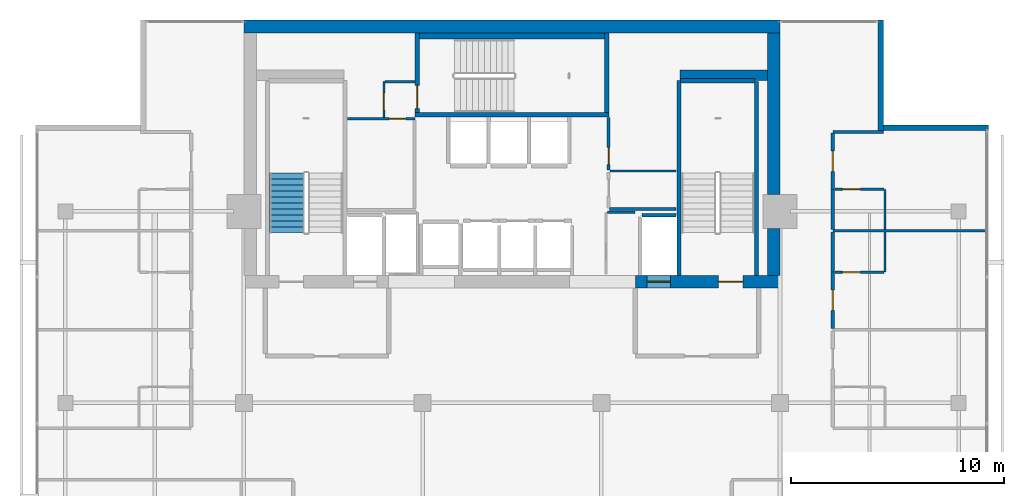
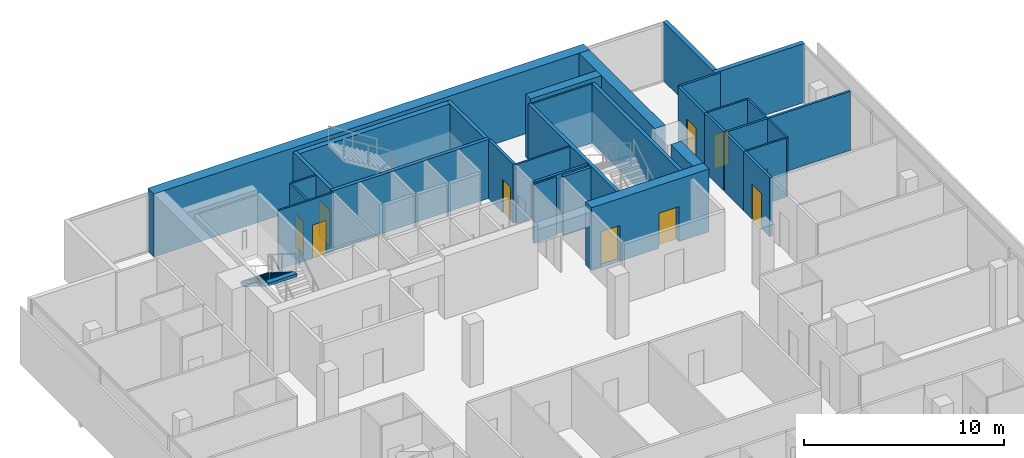
# One storey, part 23 of 26: 32 walls, 10 doors, 1 stair flight, 10 openings, 1 element without a shape of its own.
"""IFC4 building model written with IfcOpenShell, lengths in metres."""

from ifc_helpers import new_model, si_unit, direction, frame, frame_2d, origin, place, context, subcontext, project, spatial, polyline, rectangle, outline, extrude, material, layer, layer_set, type_object, element, fill, aggregate, save


model = new_model("IFC4")

# Units and contexts
model_context = context("Model", 3, precision=1e-05, world=origin(), true_north=direction((0.0, 1.0)))
body_context = subcontext(model_context, "Body", "Model", "MODEL_VIEW")
ifc_project = project(units=[si_unit("LENGTHUNIT", "METRE"), si_unit("AREAUNIT", "SQUARE_METRE"), si_unit("VOLUMEUNIT", "CUBIC_METRE"), si_unit("PLANEANGLEUNIT", "RADIAN"), si_unit("MASSUNIT", "GRAM", prefix="KILO")], contexts=[model_context])

# Site, building, storey
site_placement = place(None, origin())
site = spatial("IfcSite", under=ifc_project, at=site_placement, CompositionType="ELEMENT")
building_placement = place(site_placement, origin())
building = spatial("IfcBuilding", under=site, at=building_placement, Name="Maruvema Waterfront Hotel and Observation Tower", CompositionType="ELEMENT")
storey_placement = place(building_placement, frame((0.0, 0.0, 285.60009765625)))
storey = spatial("IfcBuildingStorey", under=building, at=storey_placement, Name="L70", CompositionType="ELEMENT", Elevation=285.60009765625)

# Wall, opening, door
ifc_material_1 = material(Name="Twin-stud acoustic gypsum drywall", Category="gypsum")
ifc_layer_1 = layer(ifc_material_1, 0.14990234375, Name="Acoustic Corridor and Suite Demising Wall 150 mm")
ifc_layer_set_1 = layer_set([ifc_layer_1], Name="Twin-stud acoustic gypsum drywall")
wall_type_1 = type_object("IfcWallType", Name="Acoustic Corridor and Suite Demising Wall 150 mm", PredefinedType="PARTITIONING", material=ifc_layer_set_1)
wall_1_placement = place(storey_placement, frame((42.340087890625, 46.9599609375, 0.0), z_axis=(0.0, 0.0, 1.0), x_axis=(0.0, 1.0, 0.0)))
wall_1 = element("IfcWall", 1, at=wall_1_placement, inside=storey, type_object=wall_type_1, Name="L70 Freed B2 West N 018", PredefinedType="PARTITIONING", context=body_context, shape_type="SweptSolid", body=[
    extrude(rectangle(XDim=2.4599609375, YDim=0.14990234375, at=frame_2d((1.22998046875, 0.0))), origin(), (0.0, 0.0, 1.0), 3.60986328125),
])
opening_1_placement = place(wall_1_placement, frame((0.239990234375, 0.0, 0.0)))
opening_1 = element("IfcOpeningElement", 2, at=opening_1_placement, cuts=wall_1, Name="Opening DR-080", PredefinedType="OPENING", context=body_context, shape_type="SweptSolid", body=[
    extrude(rectangle(XDim=0.800048828125, YDim=2.050048828125, at=frame_2d((0.39990234375, 1.02490234375))), frame((0.0, 0.0849609375, 0.0), z_axis=(0.0, -1.0, 0.0), x_axis=(1.0, 0.0, 0.0)), (0.0, 0.0, 1.0), 0.169921875),
])
ifc_material_2 = material(Name="Powder-coated steel access leaf", Category="steel")
door_type_1 = type_object("IfcDoorType", Name="Riser and Service Cupboard Door 800x2050 mm", OperationType="NOTDEFINED", PredefinedType="DOOR", material=ifc_material_2)
door_1_placement = place(opening_1_placement, frame((0.800048828125, 0.0, 0.0), z_axis=(0.0, 0.0, 1.0), x_axis=(-1.0, 0.0, 0.0)))
door_1 = element("IfcDoor", 3, at=door_1_placement, inside=storey, type_object=door_type_1, Name="L70 Core IT and Linen Store Door", OperationType="SINGLE_SWING_LEFT", OverallHeight=2.050048828125, OverallWidth=0.800048828125, PredefinedType="DOOR", context=body_context, shape_type="SweptSolid", body=[
    extrude(rectangle(XDim=0.800048828125, YDim=2.050048828125, at=frame_2d((0.39990234375, 1.02490234375))), frame((0.0, 0.02490234375, 0.0), z_axis=(0.0, -1.0, 0.0), x_axis=(1.0, 0.0, 0.0)), (0.0, 0.0, 1.0), 0.050048828125),
])
fill(opening_1, door_1)

# Wall
wall_2_placement = place(storey_placement, frame((42.3798828125, 45.1201171875, 0.0), z_axis=(0.0, 0.0, 1.0), x_axis=(1.0, 0.0, 0.0)))
element("IfcWall", 4, at=wall_2_placement, inside=storey, type_object=wall_type_1, Name="L70 Freed B2 South Wall 020", PredefinedType="PARTITIONING", context=body_context, shape_type="SweptSolid", body=[
    extrude(rectangle(XDim=3.14013671875, YDim=0.14990234375, at=frame_2d((1.570068359375, 0.0))), origin(), (0.0, 0.0, 1.0), 3.60986328125),
])

# Wall, opening, door
wall_3_placement = place(storey_placement, frame((52.8798828125, 39.505859375, 0.0), z_axis=(0.0, 0.0, 1.0), x_axis=(0.0, 1.0, 0.0)))
wall_3 = element("IfcWall", 5, at=wall_3_placement, inside=storey, type_object=wall_type_1, Name="L70 Room L70-NE2 Corridor Wall 101", PredefinedType="PARTITIONING", context=body_context, shape_type="SweptSolid", body=[
    extrude(rectangle(XDim=2.6357421875, YDim=0.14990234375, at=frame_2d((1.31787109375, 0.0))), origin(), (0.0, 0.0, 1.0), 3.60986328125),
])
opening_2_placement = place(wall_3_placement, frame((0.843017578125, 0.0, 0.0)))
opening_2 = element("IfcOpeningElement", 6, at=opening_2_placement, cuts=wall_3, Name="Opening DR-095", PredefinedType="OPENING", context=body_context, shape_type="SweptSolid", body=[
    extrude(rectangle(XDim=0.949951171875, YDim=2.14990234375, at=frame_2d((0.47509765625, 1.074951171875))), frame((0.0, 0.0849609375, 0.0), z_axis=(0.0, -1.0, 0.0), x_axis=(1.0, 0.0, 0.0)), (0.0, 0.0, 1.0), 0.169921875),
])
ifc_material_3 = material(Name="Acoustic solid-core hardwood timber leaf", Category="wood")
door_type_2 = type_object("IfcDoorType", Name="Guestroom Entrance Fire Door 950x2150 mm", OperationType="NOTDEFINED", PredefinedType="DOOR", material=ifc_material_3)
door_2_placement = place(opening_2_placement, frame((0.949951171875, 0.0, 0.0), z_axis=(0.0, 0.0, 1.0), x_axis=(-1.0, 0.0, 0.0)))
door_2 = element("IfcDoor", 7, at=door_2_placement, inside=storey, type_object=door_type_2, Name="L70 Room L70-NE2 Entrance Door", OperationType="SINGLE_SWING_LEFT", OverallHeight=2.14990234375, OverallWidth=0.949951171875, PredefinedType="DOOR", context=body_context, shape_type="SweptSolid", body=[
    extrude(rectangle(XDim=0.949951171875, YDim=2.14990234375, at=frame_2d((0.47509765625, 1.074951171875))), frame((0.0, 0.02490234375, 0.0), z_axis=(0.0, -1.0, 0.0), x_axis=(1.0, 0.0, 0.0)), (0.0, 0.0, 1.0), 0.050048828125),
])
fill(opening_2, door_2)

# Walls
for number, where, z_axis, x_axis, name in (
    (8, (52.8798828125, 42.1416015625, 0.0), (0.0, 0.0, 1.0), (0.0, 1.0, 0.0), "L70 Bath L70-NE2 Wall 102"),
    (9, (52.8798828125, 44.151611328125, 0.0), (0.0, 0.0, 1.0), (0.0, 1.0, 0.0), "L70 Bath L70-NE3 Wall 111"),
):
    element("IfcWall", number, at=place(storey_placement, frame(where, z_axis=z_axis, x_axis=x_axis)), inside=storey, type_object=wall_type_1, Name=name, PredefinedType="PARTITIONING", context=body_context, shape_type="SweptSolid", body=[
        extrude(rectangle(XDim=1.89013671875, YDim=0.14990234375, at=frame_2d((0.945068359375, 0.0))), origin(), (0.0, 0.0, 1.0), 3.60986328125),
    ])

# Wall, opening, door
wall_4_placement = place(storey_placement, frame((52.8798828125, 46.041748046875, 0.0), z_axis=(0.0, 0.0, 1.0), x_axis=(0.0, 1.0, 0.0)))
wall_4 = element("IfcWall", 10, at=wall_4_placement, inside=storey, type_object=wall_type_1, Name="L70 Room L70-NE3 Corridor Wall 112", PredefinedType="PARTITIONING", context=body_context, shape_type="SweptSolid", body=[
    extrude(rectangle(XDim=2.6357421875, YDim=0.14990234375, at=frame_2d((1.31787109375, 0.0))), origin(), (0.0, 0.0, 1.0), 3.60986328125),
])
opening_3_placement = place(wall_4_placement, frame((0.843017578125, 0.0, 0.0)))
opening_3 = element("IfcOpeningElement", 11, at=opening_3_placement, cuts=wall_4, Name="Opening DR-095", PredefinedType="OPENING", context=body_context, shape_type="SweptSolid", body=[
    extrude(rectangle(XDim=0.949951171875, YDim=2.14990234375, at=frame_2d((0.47509765625, 1.074951171875))), frame((0.0, 0.0849609375, 0.0), z_axis=(0.0, -1.0, 0.0), x_axis=(1.0, 0.0, 0.0)), (0.0, 0.0, 1.0), 0.169921875),
])
door_3_placement = place(opening_3_placement, frame((0.949951171875, 0.0, 0.0), z_axis=(0.0, 0.0, 1.0), x_axis=(-1.0, 0.0, 0.0)))
door_3 = element("IfcDoor", 12, at=door_3_placement, inside=storey, type_object=door_type_2, Name="L70 Room L70-NE3 Entrance Door", OperationType="SINGLE_SWING_LEFT", OverallHeight=2.14990234375, OverallWidth=0.949951171875, PredefinedType="DOOR", context=body_context, shape_type="SweptSolid", body=[
    extrude(rectangle(XDim=0.949951171875, YDim=2.14990234375, at=frame_2d((0.47509765625, 1.074951171875))), frame((0.0, 0.02490234375, 0.0), z_axis=(0.0, -1.0, 0.0), x_axis=(1.0, 0.0, 0.0)), (0.0, 0.0, 1.0), 0.050048828125),
])
fill(opening_3, door_3)

# Walls
ifc_material_4 = material(Name="Precast concrete C45/55", Category="concrete")
ifc_layer_2 = layer(ifc_material_4, 0.300048828125, Name="Core Shaft Furring Wall 300 mm")
ifc_layer_set_2 = layer_set([ifc_layer_2], Name="Precast concrete C45/55")
wall_type_2 = type_object("IfcWallType", Name="Core Shaft Furring Wall 300 mm", PredefinedType="SOLIDWALL", material=ifc_layer_set_2)
wall_5_placement = place(storey_placement, frame((33.449951171875, 53.25, 0.0), z_axis=(0.0, 0.0, 1.0), x_axis=(1.0, 0.0, 0.0)))
element("IfcWall", 13, at=wall_5_placement, inside=storey, type_object=wall_type_2, Name="L70 Stairwell ST-02 North Furring Wall", PredefinedType="SOLIDWALL", context=body_context, shape_type="SweptSolid", body=[
    extrude(rectangle(XDim=8.699951171875, YDim=0.300048828125, at=frame_2d((4.35009765625, 0.0))), origin(), (0.0, 0.0, 1.0), 3.60986328125),
])
ifc_material_5 = material(Name="Precast concrete C45/55", Category="concrete")
ifc_layer_3 = layer(ifc_material_5, 0.199951171875, Name="Core Shaft and Stairwell Enclosure Wall 200 mm")
ifc_layer_set_3 = layer_set([ifc_layer_3], Name="Precast concrete C45/55")
wall_type_3 = type_object("IfcWallType", Name="Core Shaft and Stairwell Enclosure Wall 200 mm", PredefinedType="SOLIDWALL", material=ifc_layer_set_3)
wall_6_placement = place(storey_placement, frame((33.25, 49.550048828125, 0.0), z_axis=(0.0, 0.0, 1.0), x_axis=(1.0, 0.0, 0.0)))
element("IfcWall", 14, at=wall_6_placement, inside=storey, type_object=wall_type_3, Name="L70 Stairwell ST-02 Shaft Wall", PredefinedType="SOLIDWALL", context=body_context, shape_type="SweptSolid", body=[
    extrude(rectangle(XDim=9.10009765625, YDim=0.199951171875, at=frame_2d((4.550048828125, 0.0))), origin(), (0.0, 0.0, 1.0), 3.60986328125),
])
wall_7_placement = place(storey_placement, frame((42.25, 49.64990234375, 0.0), z_axis=(0.0, 0.0, 1.0), x_axis=(0.0, 1.0, 0.0)))
element("IfcWall", 15, at=wall_7_placement, inside=storey, type_object=wall_type_3, Name="L70 Stairwell ST-02 Shaft Wall", PredefinedType="SOLIDWALL", context=body_context, shape_type="SweptSolid", body=[
    extrude(rectangle(XDim=3.75, YDim=0.199951171875, at=frame_2d((1.875, 0.0))), origin(), (0.0, 0.0, 1.0), 3.60986328125),
])

# Wall, opening, door
wall_8_placement = place(storey_placement, frame((33.35009765625, 49.64990234375, 0.0), z_axis=(0.0, 0.0, 1.0), x_axis=(0.0, 1.0, 0.0)))
wall_8 = element("IfcWall", 16, at=wall_8_placement, inside=storey, type_object=wall_type_3, Name="L70 Stairwell ST-02 Shaft Wall", PredefinedType="SOLIDWALL", context=body_context, shape_type="SweptSolid", body=[
    extrude(rectangle(XDim=3.75, YDim=0.199951171875, at=frame_2d((1.875, 0.0))), origin(), (0.0, 0.0, 1.0), 3.60986328125),
])
opening_4_placement = place(wall_8_placement, frame((0.179931640625, 0.0, 0.0)))
opening_4 = element("IfcOpeningElement", 17, at=opening_4_placement, cuts=wall_8, Name="Opening SD-02", PredefinedType="OPENING", context=body_context, shape_type="SweptSolid", body=[
    extrude(rectangle(XDim=1.10009765625, YDim=2.14990234375, at=frame_2d((0.550048828125, 1.074951171875))), frame((0.0, 0.10986328125, 0.0), z_axis=(0.0, -1.0, 0.0), x_axis=(1.0, 0.0, 0.0)), (0.0, 0.0, 1.0), 0.219970703125),
])
ifc_material_6 = material(Name="Fire-rated galvanised steel leaf", Category="steel")
door_type_3 = type_object("IfcDoorType", Name="Central Exit Stair Fire Door 1100x2150 mm", OperationType="NOTDEFINED", PredefinedType="DOOR", material=ifc_material_6)
door_4_placement = place(opening_4_placement, frame((1.10009765625, 0.0, 0.0), z_axis=(0.0, 0.0, 1.0), x_axis=(-1.0, 0.0, 0.0)))
door_4 = element("IfcDoor", 18, at=door_4_placement, inside=storey, type_object=door_type_3, Name="L70 Exit Stair ST-02 Fire Door", OperationType="SINGLE_SWING_LEFT", OverallHeight=2.14990234375, OverallWidth=1.10009765625, PredefinedType="DOOR", context=body_context, shape_type="SweptSolid", body=[
    extrude(rectangle(XDim=1.10009765625, YDim=2.14990234375, at=frame_2d((0.550048828125, 1.074951171875))), frame((0.0, 0.02490234375, 0.0), z_axis=(0.0, -1.0, 0.0), x_axis=(1.0, 0.0, 0.0)), (0.0, 0.0, 1.0), 0.050048828125),
])
fill(opening_4, door_4)

# Walls
wall_9_placement = place(storey_placement, frame((45.64990234375, 42.0, 0.0), z_axis=(0.0, 0.0, 1.0), x_axis=(0.0, 1.0, 0.0)))
element("IfcWall", 19, at=wall_9_placement, inside=storey, type_object=wall_type_3, Name="L70 Stairwell ST-03 West Shaft Wall", PredefinedType="SOLIDWALL", context=body_context, shape_type="SweptSolid", body=[
    extrude(rectangle(XDim=9.14990234375, YDim=0.199951171875, at=frame_2d((4.574951171875, 0.0))), origin(), (0.0, 0.0, 1.0), 3.60986328125),
])
wall_10_placement = place(storey_placement, frame((49.300048828125, 42.0, 0.0), z_axis=(0.0, 0.0, 1.0), x_axis=(0.0, 1.0, 0.0)))
element("IfcWall", 20, at=wall_10_placement, inside=storey, type_object=wall_type_3, Name="L70 Stairwell ST-03 Shaft Lining Wall", PredefinedType="SOLIDWALL", context=body_context, shape_type="SweptSolid", body=[
    extrude(rectangle(XDim=9.1201171875, YDim=0.199951171875, at=frame_2d((4.56005859375, 0.0))), origin(), (0.0, 0.0, 1.0), 3.60986328125),
])
wall_11_placement = place(storey_placement, frame((45.719970703125, 51.14990234375, 0.0), z_axis=(0.0, 0.0, 1.0), x_axis=(1.0, 0.0, 0.0)))
element("IfcWall", 21, at=wall_11_placement, inside=storey, type_object=wall_type_3, Name="L70 Stairwell ST-03 Shaft Lining Wall", PredefinedType="SOLIDWALL", context=body_context, shape_type="SweptSolid", body=[
    extrude(rectangle(XDim=3.5, YDim=0.199951171875, at=frame_2d((1.75, 0.0))), origin(), (0.0, 0.0, 1.0), 3.60986328125),
])
ifc_material_7 = material(Name="Concrete C70/85", Category="concrete")
ifc_layer_4 = layer(ifc_material_7, 0.5, Name="Core Shear Wall 500 mm")
ifc_layer_set_4 = layer_set([ifc_layer_4], Name="Concrete C70/85")
wall_type_4 = type_object("IfcWallType", Name="Core Shear Wall 500 mm", PredefinedType="SHEAR", material=ifc_layer_set_4)
wall_12_placement = place(storey_placement, frame((45.699951171875, 51.39990234375, 0.0), z_axis=(0.0, 0.0, 1.0), x_axis=(1.0, 0.0, 0.0)))
element("IfcWall", 22, at=wall_12_placement, inside=storey, type_object=wall_type_4, Name="L70 Internal Core Shear Wall NE 500 mm", PredefinedType="SHEAR", context=body_context, shape_type="SweptSolid", body=[
    extrude(rectangle(XDim=4.10009765625, YDim=0.5, at=frame_2d((2.050048828125, 0.0))), origin(), (0.0, 0.0, 1.0), 3.849853515625),
])
ifc_material_8 = material(Name="Concrete C60/75", Category="concrete")
ifc_layer_5 = layer(ifc_material_8, 0.60009765625, Name="Core Shear Wall 600 mm")
ifc_layer_set_5 = layer_set([ifc_layer_5], Name="Concrete C60/75")
wall_type_5 = type_object("IfcWallType", Name="Core Shear Wall 600 mm", PredefinedType="SHEAR", material=ifc_layer_set_5)
wall_13_placement = place(storey_placement, frame((25.199951171875, 53.699951171875, 0.0), z_axis=(0.0, 0.0, 1.0), x_axis=(1.0, 0.0, 0.0)))
element("IfcWall", 23, at=wall_13_placement, inside=storey, type_object=wall_type_5, Name="L70 North Core Shear Wall", PredefinedType="SHEAR", context=body_context, shape_type="SweptSolid", body=[
    extrude(rectangle(XDim=25.199951171875, YDim=0.60009765625, at=frame_2d((12.60009765625, 0.0))), origin(), (0.0, 0.0, 1.0), 3.849853515625),
])

# Wall, openings, doors
wall_14_placement = place(storey_placement, frame((43.60009765625, 41.699951171875, 0.0), z_axis=(0.0, 0.0, 1.0), x_axis=(1.0, 0.0, 0.0)))
wall_14 = element("IfcWall", 24, at=wall_14_placement, inside=storey, type_object=wall_type_5, Name="L70 South-East Core Shear Wall", PredefinedType="SHEAR", context=body_context, shape_type="SweptSolid", body=[
    extrude(rectangle(XDim=6.7998046875, YDim=0.60009765625, at=frame_2d((3.39990234375, 0.0))), origin(), (0.0, 0.0, 1.0), 3.849853515625),
])
opening_5_placement = place(wall_14_placement, frame((3.89990234375, 0.0, 0.0)))
opening_5 = element("IfcOpeningElement", 25, at=opening_5_placement, cuts=wall_14, Name="Opening SD-01", PredefinedType="OPENING", context=body_context, shape_type="SweptSolid", body=[
    extrude(rectangle(XDim=1.14990234375, YDim=2.14990234375, at=frame_2d((0.574951171875, 1.074951171875))), frame((0.0, 0.31005859375, 0.0), z_axis=(0.0, -1.0, 0.0), x_axis=(1.0, 0.0, 0.0)), (0.0, 0.0, 1.0), 0.6201171875),
])
opening_6_placement = place(wall_14_placement, frame((0.550048828125, 0.0, 0.0)))
opening_6 = element("IfcOpeningElement", 26, at=opening_6_placement, cuts=wall_14, Name="Opening LD-03", PredefinedType="OPENING", context=body_context, shape_type="SweptSolid", body=[
    extrude(rectangle(XDim=1.10009765625, YDim=2.199951171875, at=frame_2d((0.550048828125, 1.10009765625))), frame((0.0, 0.31005859375, 0.0), z_axis=(0.0, -1.0, 0.0), x_axis=(1.0, 0.0, 0.0)), (0.0, 0.0, 1.0), 0.6201171875),
])
ifc_material_9 = material(Name="Fire-rated galvanised steel leaf", Category="steel")
door_type_4 = type_object("IfcDoorType", Name="Exit Stair Fire Door 1150x2150 mm", OperationType="NOTDEFINED", PredefinedType="DOOR", material=ifc_material_9)
door_5_placement = place(opening_5_placement, origin())
door_5 = element("IfcDoor", 27, at=door_5_placement, inside=storey, type_object=door_type_4, Name="L70 Exit Stair ST-03 Fire Door", OperationType="SINGLE_SWING_RIGHT", OverallHeight=2.14990234375, OverallWidth=1.14990234375, PredefinedType="DOOR", context=body_context, shape_type="SweptSolid", body=[
    extrude(rectangle(XDim=1.14990234375, YDim=2.14990234375, at=frame_2d((0.574951171875, 1.074951171875))), frame((0.0, 0.02490234375, 0.0), z_axis=(0.0, -1.0, 0.0), x_axis=(1.0, 0.0, 0.0)), (0.0, 0.0, 1.0), 0.050048828125),
])
fill(opening_5, door_5)
ifc_material_10 = material(Name="Brushed stainless steel Grade 316", Category="steel")
door_type_5 = type_object("IfcDoorType", Name="Firefighting Lift Sliding Landing Door 1100x2200 mm", OperationType="SLIDING_TO_LEFT", PredefinedType="DOOR", material=ifc_material_10)
door_6_placement = place(opening_6_placement, frame((1.10009765625, 0.0, 0.0), z_axis=(0.0, 0.0, 1.0), x_axis=(-1.0, 0.0, 0.0)))
door_6 = element("IfcDoor", 28, at=door_6_placement, inside=storey, type_object=door_type_5, Name="L70 Firefighting Lift FL-02 Landing Door", OperationType="SLIDING_TO_LEFT", OverallHeight=2.199951171875, OverallWidth=1.10009765625, PredefinedType="DOOR", context=body_context, shape_type="SweptSolid", body=[
    extrude(rectangle(XDim=1.10009765625, YDim=2.199951171875, at=frame_2d((0.550048828125, 1.10009765625))), frame((0.0, 0.02490234375, 0.0), z_axis=(0.0, -1.0, 0.0), x_axis=(1.0, 0.0, 0.0)), (0.0, 0.0, 1.0), 0.050048828125),
])
fill(opening_6, door_6)

# Walls
wall_15_placement = place(storey_placement, frame((50.10009765625, 42.0, 0.0), z_axis=(0.0, 0.0, 1.0), x_axis=(0.0, 1.0, 0.0)))
element("IfcWall", 29, at=wall_15_placement, inside=storey, type_object=wall_type_5, Name="L70 East-South Core Shear Wall", PredefinedType="SHEAR", context=body_context, shape_type="SweptSolid", body=[
    extrude(rectangle(XDim=2.199951171875, YDim=0.60009765625, at=frame_2d((1.10009765625, 0.0))), origin(), (0.0, 0.0, 1.0), 3.849853515625),
])
wall_16_placement = place(storey_placement, frame((50.10009765625, 45.800048828125, 0.0), z_axis=(0.0, 0.0, 1.0), x_axis=(0.0, 1.0, 0.0)))
element("IfcWall", 30, at=wall_16_placement, inside=storey, type_object=wall_type_5, Name="L70 East-North Core Shear Wall", PredefinedType="SHEAR", context=body_context, shape_type="SweptSolid", body=[
    extrude(rectangle(XDim=7.599853515625, YDim=0.60009765625, at=frame_2d((3.7998046875, 0.0))), origin(), (0.0, 0.0, 1.0), 3.849853515625),
])
ifc_material_11 = material(Name="Moisture-resistant cement-board drywall", Category="gypsum")
ifc_layer_6 = layer(ifc_material_11, 0.10009765625, Name="En-Suite Moisture-Resistant Partition 100 mm")
ifc_layer_set_6 = layer_set([ifc_layer_6], Name="Moisture-resistant cement-board drywall")
wall_type_6 = type_object("IfcWallType", Name="En-Suite Moisture-Resistant Partition 100 mm", PredefinedType="PARTITIONING", material=ifc_layer_set_6)
wall_17_placement = place(storey_placement, frame((42.280029296875, 44.9599609375, 0.0), z_axis=(0.0, 0.0, 1.0), x_axis=(1.0, 0.0, 0.0)))
element("IfcWall", 31, at=wall_17_placement, inside=storey, type_object=wall_type_6, Name="L70 Core Closet K1 North 011", PredefinedType="PARTITIONING", context=body_context, shape_type="SweptSolid", body=[
    extrude(rectangle(XDim=1.300048828125, YDim=0.10009765625, at=frame_2d((0.64990234375, 0.0))), origin(), (0.0, 0.0, 1.0), 3.60986328125),
])

# Wall, opening, door
wall_18_placement = place(storey_placement, frame((30.06005859375, 49.360107421875, 0.0), z_axis=(0.0, 0.0, 1.0), x_axis=(1.0, 0.0, 0.0)))
wall_18 = element("IfcWall", 32, at=wall_18_placement, inside=storey, type_object=wall_type_6, Name="L70 Freed B1 Mid Wall 014", PredefinedType="PARTITIONING", context=body_context, shape_type="SweptSolid", body=[
    extrude(rectangle(XDim=3.179931640625, YDim=0.10009765625, at=frame_2d((1.58984375, 0.0))), origin(), (0.0, 0.0, 1.0), 3.60986328125),
])
opening_7_placement = place(wall_18_placement, frame((1.949951171875, 0.0, 0.0)))
opening_7 = element("IfcOpeningElement", 33, at=opening_7_placement, cuts=wall_18, Name="Opening DR-080", PredefinedType="OPENING", context=body_context, shape_type="SweptSolid", body=[
    extrude(rectangle(XDim=0.800048828125, YDim=2.050048828125, at=frame_2d((0.39990234375, 1.02490234375))), frame((0.0, 0.06005859375, 0.0), z_axis=(0.0, -1.0, 0.0), x_axis=(1.0, 0.0, 0.0)), (0.0, 0.0, 1.0), 0.1201171875),
])
door_7_placement = place(opening_7_placement, origin())
door_7 = element("IfcDoor", 34, at=door_7_placement, inside=storey, type_object=door_type_1, Name="L70 Housekeeping and Linen Room Door", OperationType="SINGLE_SWING_RIGHT", OverallHeight=2.050048828125, OverallWidth=0.800048828125, PredefinedType="DOOR", context=body_context, shape_type="SweptSolid", body=[
    extrude(rectangle(XDim=0.800048828125, YDim=2.050048828125, at=frame_2d((0.39990234375, 1.02490234375))), frame((0.0, 0.02490234375, 0.0), z_axis=(0.0, -1.0, 0.0), x_axis=(1.0, 0.0, 0.0)), (0.0, 0.0, 1.0), 0.050048828125),
])
fill(opening_7, door_7)

wall_19_placement = place(storey_placement, frame((31.780029296875, 49.419921875, 0.0), z_axis=(0.0, 0.0, 1.0), x_axis=(0.0, 1.0, 0.0)))
wall_19 = element("IfcWall", 35, at=wall_19_placement, inside=storey, type_object=wall_type_6, Name="L70 Freed B1 NW East Wall 015", PredefinedType="PARTITIONING", context=body_context, shape_type="SweptSolid", body=[
    extrude(rectangle(XDim=1.68017578125, YDim=0.10009765625, at=frame_2d((0.840087890625, 0.0))), origin(), (0.0, 0.0, 1.0), 3.60986328125),
])
opening_8_placement = place(wall_19_placement, frame((0.35009765625, 0.0, 0.0)))
opening_8 = element("IfcOpeningElement", 36, at=opening_8_placement, cuts=wall_19, Name="Opening DR-080", PredefinedType="OPENING", context=body_context, shape_type="SweptSolid", body=[
    extrude(rectangle(XDim=0.800048828125, YDim=2.050048828125, at=frame_2d((0.39990234375, 1.02490234375))), frame((0.0, 0.06005859375, 0.0), z_axis=(0.0, -1.0, 0.0), x_axis=(1.0, 0.0, 0.0)), (0.0, 0.0, 1.0), 0.1201171875),
])
door_8_placement = place(opening_8_placement, origin())
door_8 = element("IfcDoor", 37, at=door_8_placement, inside=storey, type_object=door_type_1, Name="L70 Guest Floor Pantry Door", OperationType="SINGLE_SWING_LEFT", OverallHeight=2.050048828125, OverallWidth=0.800048828125, PredefinedType="DOOR", context=body_context, shape_type="SweptSolid", body=[
    extrude(rectangle(XDim=0.800048828125, YDim=2.050048828125, at=frame_2d((0.39990234375, 1.02490234375))), frame((0.0, 0.02490234375, 0.0), z_axis=(0.0, -1.0, 0.0), x_axis=(1.0, 0.0, 0.0)), (0.0, 0.0, 1.0), 0.050048828125),
])
fill(opening_8, door_8)

# Walls
wall_20_placement = place(storey_placement, frame((31.820068359375, 51.10009765625, 0.0), z_axis=(0.0, 0.0, 1.0), x_axis=(1.0, 0.0, 0.0)))
element("IfcWall", 38, at=wall_20_placement, inside=storey, type_object=wall_type_6, Name="L70 Freed B1 Vestibule North Wall 016", PredefinedType="PARTITIONING", context=body_context, shape_type="SweptSolid", body=[
    extrude(rectangle(XDim=1.419921875, YDim=0.10009765625, at=frame_2d((0.7099609375, 0.0))), origin(), (0.0, 0.0, 1.0), 3.60986328125),
])
wall_21_placement = place(storey_placement, frame((42.39990234375, 46.89990234375, 0.0), z_axis=(0.0, 0.0, 1.0), x_axis=(1.0, 0.0, 0.0)))
element("IfcWall", 39, at=wall_21_placement, inside=storey, type_object=wall_type_6, Name="L70 Freed B2 Split 019", PredefinedType="PARTITIONING", context=body_context, shape_type="SweptSolid", body=[
    extrude(rectangle(XDim=3.10009765625, YDim=0.10009765625, at=frame_2d((1.550048828125, 0.0))), origin(), (0.0, 0.0, 1.0), 3.60986328125),
])
wall_22_placement = place(storey_placement, frame((55.330078125, 42.1416015625, 0.0), z_axis=(0.0, 0.0, 1.0), x_axis=(0.0, 1.0, 0.0)))
element("IfcWall", 40, at=wall_22_placement, inside=storey, type_object=wall_type_6, Name="L70 En-Suite L70-NE2 E 103", PredefinedType="PARTITIONING", context=body_context, shape_type="SweptSolid", body=[
    extrude(rectangle(XDim=1.89013671875, YDim=0.10009765625, at=frame_2d((0.945068359375, 0.0))), origin(), (0.0, 0.0, 1.0), 3.60986328125),
])

# Wall, opening, door
wall_23_placement = place(storey_placement, frame((52.97998046875, 42.1416015625, 0.0), z_axis=(0.0, 0.0, 1.0), x_axis=(1.0, 0.0, 0.0)))
wall_23 = element("IfcWall", 41, at=wall_23_placement, inside=storey, type_object=wall_type_6, Name="L70 En-Suite L70-NE2 S 104", PredefinedType="PARTITIONING", context=body_context, shape_type="SweptSolid", body=[
    extrude(rectangle(XDim=2.300048828125, YDim=0.10009765625, at=frame_2d((1.14990234375, 0.0))), origin(), (0.0, 0.0, 1.0), 3.60986328125),
])
opening_9_placement = place(wall_23_placement, frame((0.35009765625, 0.0, 0.0)))
opening_9 = element("IfcOpeningElement", 42, at=opening_9_placement, cuts=wall_23, Name="Opening DR-085", PredefinedType="OPENING", context=body_context, shape_type="SweptSolid", body=[
    extrude(rectangle(XDim=0.85009765625, YDim=2.10009765625, at=frame_2d((0.425048828125, 1.050048828125))), frame((0.0, 0.06005859375, 0.0), z_axis=(0.0, -1.0, 0.0), x_axis=(1.0, 0.0, 0.0)), (0.0, 0.0, 1.0), 0.1201171875),
])
ifc_material_12 = material(Name="Moisture-resistant solid timber leaf", Category="wood")
door_type_6 = type_object("IfcDoorType", Name="En-Suite Bathroom Door 850x2100 mm", OperationType="NOTDEFINED", PredefinedType="DOOR", material=ifc_material_12)
door_9_placement = place(opening_9_placement, frame((0.85009765625, 0.0, 0.0), z_axis=(0.0, 0.0, 1.0), x_axis=(-1.0, 0.0, 0.0)))
door_9 = element("IfcDoor", 43, at=door_9_placement, inside=storey, type_object=door_type_6, Name="L70 En-Suite L70-NE2 Door", OperationType="SINGLE_SWING_RIGHT", OverallHeight=2.10009765625, OverallWidth=0.85009765625, PredefinedType="DOOR", context=body_context, shape_type="SweptSolid", body=[
    extrude(rectangle(XDim=0.85009765625, YDim=2.10009765625, at=frame_2d((0.425048828125, 1.050048828125))), frame((0.0, 0.02490234375, 0.0), z_axis=(0.0, -1.0, 0.0), x_axis=(1.0, 0.0, 0.0)), (0.0, 0.0, 1.0), 0.050048828125),
])
fill(opening_9, door_9)

# Wall
wall_24_placement = place(storey_placement, frame((55.330078125, 44.151611328125, 0.0), z_axis=(0.0, 0.0, 1.0), x_axis=(0.0, 1.0, 0.0)))
element("IfcWall", 44, at=wall_24_placement, inside=storey, type_object=wall_type_6, Name="L70 En-Suite L70-NE3 E 113", PredefinedType="PARTITIONING", context=body_context, shape_type="SweptSolid", body=[
    extrude(rectangle(XDim=1.89013671875, YDim=0.10009765625, at=frame_2d((0.945068359375, 0.0))), origin(), (0.0, 0.0, 1.0), 3.60986328125),
])

# Wall, opening, door
wall_25_placement = place(storey_placement, frame((52.97998046875, 46.041748046875, 0.0), z_axis=(0.0, 0.0, 1.0), x_axis=(1.0, 0.0, 0.0)))
wall_25 = element("IfcWall", 45, at=wall_25_placement, inside=storey, type_object=wall_type_6, Name="L70 En-Suite L70-NE3 N 114", PredefinedType="PARTITIONING", context=body_context, shape_type="SweptSolid", body=[
    extrude(rectangle(XDim=2.300048828125, YDim=0.10009765625, at=frame_2d((1.14990234375, 0.0))), origin(), (0.0, 0.0, 1.0), 3.60986328125),
])
opening_10_placement = place(wall_25_placement, frame((0.35009765625, 0.0, 0.0)))
opening_10 = element("IfcOpeningElement", 46, at=opening_10_placement, cuts=wall_25, Name="Opening DR-085", PredefinedType="OPENING", context=body_context, shape_type="SweptSolid", body=[
    extrude(rectangle(XDim=0.85009765625, YDim=2.10009765625, at=frame_2d((0.425048828125, 1.050048828125))), frame((0.0, 0.06005859375, 0.0), z_axis=(0.0, -1.0, 0.0), x_axis=(1.0, 0.0, 0.0)), (0.0, 0.0, 1.0), 0.1201171875),
])
door_10_placement = place(opening_10_placement, origin())
door_10 = element("IfcDoor", 47, at=door_10_placement, inside=storey, type_object=door_type_6, Name="L70 En-Suite L70-NE3 Door", OperationType="SINGLE_SWING_RIGHT", OverallHeight=2.10009765625, OverallWidth=0.85009765625, PredefinedType="DOOR", context=body_context, shape_type="SweptSolid", body=[
    extrude(rectangle(XDim=0.85009765625, YDim=2.10009765625, at=frame_2d((0.425048828125, 1.050048828125))), frame((0.0, 0.02490234375, 0.0), z_axis=(0.0, -1.0, 0.0), x_axis=(1.0, 0.0, 0.0)), (0.0, 0.0, 1.0), 0.050048828125),
])
fill(opening_10, door_10)

# Walls
ifc_material_13 = material(Name="Precast concrete C45/55 with honed Pernambuco granite facing", Category="masonry")
ifc_layer_7 = layer(ifc_material_13, 0.260009765625, Name="Exterior Granite Clad Spandrel and Pier Wall 260 mm")
ifc_layer_set_7 = layer_set([ifc_layer_7], Name="Precast concrete C45/55 with honed Pernambuco granite facing")
wall_type_7 = type_object("IfcWallType", Name="Exterior Granite Clad Spandrel and Pier Wall 260 mm", PredefinedType="SOLIDWALL", material=ifc_layer_set_7)
for number, where, z_axis, x_axis, name in (
    (48, (55.1298828125, 54.0, 0.0), (0.0, 0.0, 1.0), (0.0, -1.0, 0.0), "L70 Corner Notch Granite Pier Wall NE1"),
    (49, (55.0, 48.929931640625, 0.0), (0.0, 0.0, 1.0), (1.0, 0.0, 0.0), "L70 Corner Notch Granite Pier Wall NE2"),
):
    element("IfcWall", number, at=place(storey_placement, frame(where, z_axis=z_axis, x_axis=x_axis)), inside=storey, type_object=wall_type_7, Name=name, PredefinedType="SOLIDWALL", context=body_context, shape_type="SweptSolid", body=[
        extrude(rectangle(XDim=5.199951171875, YDim=0.260009765625, at=frame_2d((2.60009765625, 0.0))), origin(), (0.0, 0.0, 1.0), 3.60986328125),
    ])
ifc_material_14 = material(Name="Acoustic gypsum plasterboard drywall", Category="gypsum")
ifc_layer_8 = layer(ifc_material_14, 0.125, Name="Guestroom Acoustic Demising Wall 125 mm")
ifc_layer_set_8 = layer_set([ifc_layer_8], Name="Acoustic gypsum plasterboard drywall")
wall_type_8 = type_object("IfcWallType", Name="Guestroom Acoustic Demising Wall 125 mm", PredefinedType="PARTITIONING", material=ifc_layer_set_8)
wall_26_placement = place(storey_placement, frame((52.8798828125, 48.737548828125, 0.0), z_axis=(0.0, 0.0, 1.0), x_axis=(1.0, 0.0, 0.0)))
element("IfcWall", 50, at=wall_26_placement, inside=storey, type_object=wall_type_8, Name="L70 Z3 NE Top End 086", PredefinedType="PARTITIONING", context=body_context, shape_type="SweptSolid", body=[
    extrude(rectangle(XDim=2.380126953125, YDim=0.125, at=frame_2d((1.18994140625, 0.0))), origin(), (0.0, 0.0, 1.0), 3.60986328125),
])
wall_27_placement = place(storey_placement, frame((52.8798828125, 44.091796875, 0.0), z_axis=(0.0, 0.0, 1.0), x_axis=(1.0, 0.0, 0.0)))
element("IfcWall", 51, at=wall_27_placement, inside=storey, type_object=wall_type_8, Name="L70 Z3 NE Demising 3 106", PredefinedType="PARTITIONING", context=body_context, shape_type="SweptSolid", body=[
    extrude(rectangle(XDim=7.22021484375, YDim=0.125, at=frame_2d((3.610107421875, 0.0))), origin(), (0.0, 0.0, 1.0), 3.60986328125),
])
ifc_material_15 = material(Name="Precast concrete C45/55", Category="concrete")
ifc_layer_9 = layer(ifc_material_15, 0.159912109375, Name="Lift Hoistway Divider Wall 160 mm")
ifc_layer_set_9 = layer_set([ifc_layer_9], Name="Precast concrete C45/55")
wall_type_9 = type_object("IfcWallType", Name="Lift Hoistway Divider Wall 160 mm", PredefinedType="SOLIDWALL", material=ifc_layer_set_9)
wall_28_placement = place(storey_placement, frame((43.89990234375, 44.830078125, 0.0), z_axis=(0.0, 0.0, 1.0), x_axis=(1.0, 0.0, 0.0)))
element("IfcWall", 52, at=wall_28_placement, inside=storey, type_object=wall_type_9, Name="L70 Lift FL-02 Rear Hoistway Wall", PredefinedType="SOLIDWALL", context=body_context, shape_type="SweptSolid", body=[
    extrude(rectangle(XDim=1.60009765625, YDim=0.159912109375, at=frame_2d((0.800048828125, 0.0))), origin(), (0.0, 0.0, 1.0), 3.60986328125),
])

# Stair, stair flight
ifc_material_16 = material(Name="Concrete C50/60", Category="concrete")
stair_type = type_object("IfcStairType", Name="Dogleg Exit Stair 1650 mm (22R x 175.0 mm)", PredefinedType="HALF_TURN_STAIR", material=ifc_material_16)
stair_placement = place(storey_placement, origin())
stair = element("IfcStair", 53, at=stair_placement, inside=storey, type_object=stair_type, Name="L70 ST-01", PredefinedType="HALF_TURN_STAIR")
ifc_material_17 = material(Name="Concrete C50/60", Category="concrete")
stair_flight_type = type_object("IfcStairFlightType", Name="Reinforced Concrete Stair Flight 1650 mm (11R x 175.0 mm)", PredefinedType="STRAIGHT", material=ifc_material_17)
stair_flight_placement = place(storey_placement, frame((27.22509765625, 46.800048828125, 1.9248046875), z_axis=(0.0, 0.0, 1.0), x_axis=(0.0, -1.0, 0.0)))
stair_flight = element("IfcStairFlight", 54, at=stair_flight_placement, type_object=stair_flight_type, Name="ST-01 flight 2", NumberOfRisers=11, NumberOfTreads=10, PredefinedType="STRAIGHT", RiserHeight=0.175, TreadLength=0.28, context=body_context, shape_type="SweptSolid", body=[
    extrude(outline(polyline([(0.0, 0.0), (0.0, 0.175048828125), (0.280029296875, 0.175048828125), (0.280029296875, 0.35009765625), (0.56005859375, 0.35009765625), (0.56005859375, 0.52490234375), (0.840087890625, 0.52490234375), (0.840087890625, 0.699951171875), (1.1201171875, 0.699951171875), (1.1201171875, 0.875), (1.39990234375, 0.875), (1.39990234375, 1.050048828125), (1.679931640625, 1.050048828125), (1.679931640625, 1.22509765625), (1.9599609375, 1.22509765625), (1.9599609375, 1.39990234375), (2.239990234375, 1.39990234375), (2.239990234375, 1.574951171875), (2.52001953125, 1.574951171875), (2.52001953125, 1.75), (2.800048828125, 1.75), (2.800048828125, 1.925048828125), (2.800048828125, 1.5732421875), (0.28271484375, 0.0), (0.0, 0.0)])), frame((0.0, 0.824951171875, 0.0), z_axis=(0.0, -1.0, 0.0), x_axis=(1.0, 0.0, 0.0)), (0.0, 0.0, 1.0), 1.64990234375),
])
aggregate(stair, [stair_flight])

save(model, "model.ifc")
